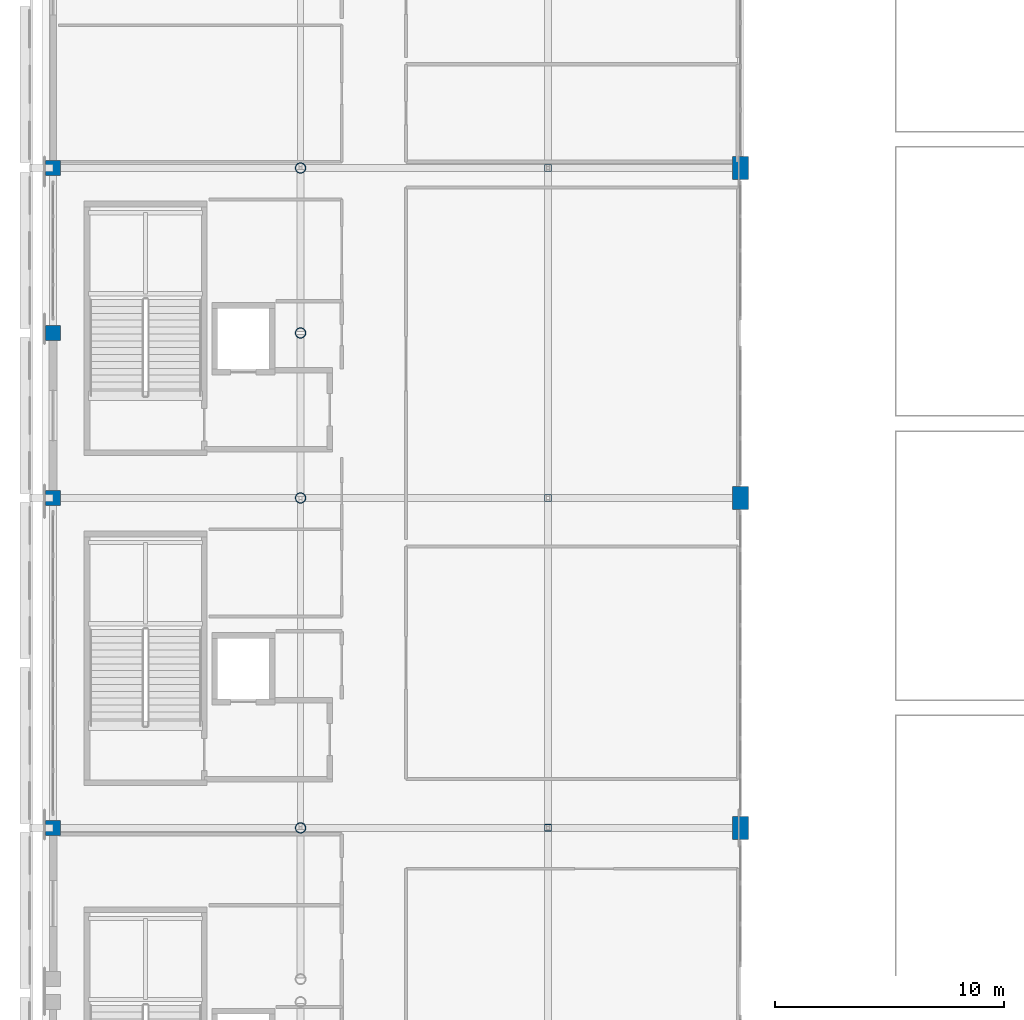
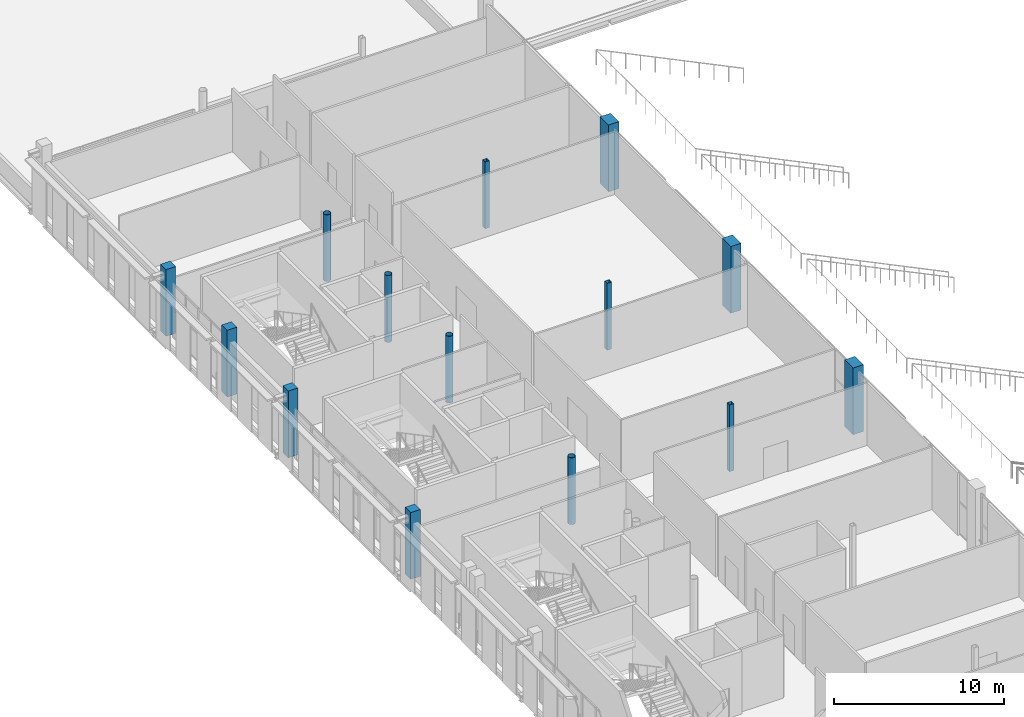
# One storey, part 4 of 104: 14 columns.
"""IFC4 building model written with IfcOpenShell, lengths in metres."""

from ifc_helpers import new_model, si_unit, direction, frame, origin, origin_2d, place, context, subcontext, project, spatial, rectangle, hollow_rectangle, hollow_circle, extrude, material, material_profile, profile_set, type_object, element, save


model = new_model("IFC4")

# Units and contexts
model_context = context("Model", 3, precision=1e-05, world=origin(), true_north=direction((0.0, 1.0)))
body_context = subcontext(model_context, "Body", "Model", "MODEL_VIEW")
ifc_project = project(units=[si_unit("LENGTHUNIT", "METRE"), si_unit("AREAUNIT", "SQUARE_METRE"), si_unit("VOLUMEUNIT", "CUBIC_METRE"), si_unit("PLANEANGLEUNIT", "RADIAN"), si_unit("MASSUNIT", "GRAM", prefix="KILO")], contexts=[model_context])

# Site, building, storey
site_placement = place(None, origin())
site = spatial("IfcSite", under=ifc_project, at=site_placement, CompositionType="ELEMENT")
building_placement = place(site_placement, origin())
building = spatial("IfcBuilding", under=site, at=building_placement, Name="Koshinbarg Plaza Stadium", CompositionType="ELEMENT")
storey_placement = place(building_placement, frame((0.0, 0.0, 19.800048828125)))
storey = spatial("IfcBuildingStorey", under=building, at=storey_placement, Name="L04", CompositionType="ELEMENT", Elevation=19.800048828125)

# Columns
ifc_material_1 = material(Name="Concrete C40/50", Category="concrete")
ifc_material_profile_1 = material_profile(ifc_material_1, rectangle(XDim=0.64990234375, YDim=0.64990234375, at=origin_2d()), Name="RC 650x650")
ifc_profile_set_1 = profile_set([ifc_material_profile_1], Name="Concrete C40/50")
column_type_1 = type_object("IfcColumnType", Name="COL-RC-05", PredefinedType="COLUMN", material=ifc_profile_set_1)
for number, where, z_axis, x_axis, name in (
    (1, (24.60009765625, 83.10009765625, 0.0), (0.0, 0.0, 1.0), (1.0, 0.0, 0.0), "L04 column 5/M"),
    (2, (24.60009765625, 97.5, 0.0), (0.0, 0.0, 1.0), (1.0, 0.0, 0.0), "L04 column 5/N"),
    (3, (24.60009765625, 104.699951171875, 0.0), (0.0, 0.0, 1.0), (1.0, 0.0, 0.0), "L04 column 5/P"),
    (4, (24.60009765625, 111.89990234375, 0.0), (0.0, 0.0, 1.0), (1.0, 0.0, 0.0), "L04 column 5/Q"),
):
    element("IfcColumn", number, at=place(storey_placement, frame(where, z_axis=z_axis, x_axis=x_axis)), inside=storey, type_object=column_type_1, Name=name, PredefinedType="COLUMN", context=body_context, shape_type="SweptSolid", body=[
        extrude(rectangle(XDim=0.64990234375, YDim=0.64990234375, at=origin_2d()), origin(), (0.0, 0.0, 1.0), 4.800048828125),
    ])
ifc_material_profile_2 = material_profile(ifc_material_1, rectangle(XDim=0.699951171875, YDim=1.0, at=origin_2d()), Name="RC 700x1000")
ifc_profile_set_2 = profile_set([ifc_material_profile_2], Name="Concrete C40/50")
column_type_2 = type_object("IfcColumnType", Name="COL-RC-13", PredefinedType="COLUMN", material=ifc_profile_set_2)
for number, where, z_axis, x_axis, name in (
    (5, (54.60009765625, 83.10009765625, 0.0), (0.0, 0.0, 1.0), (1.0, 0.0, 0.0), "L04 column 8/M"),
    (6, (54.60009765625, 97.5, 0.0), (0.0, 0.0, 1.0), (1.0, 0.0, 0.0), "L04 column 8/N"),
    (7, (54.60009765625, 111.89990234375, 0.0), (0.0, 0.0, 1.0), (1.0, 0.0, 0.0), "L04 column 8/Q"),
):
    element("IfcColumn", number, at=place(storey_placement, frame(where, z_axis=z_axis, x_axis=x_axis)), inside=storey, type_object=column_type_2, Name=name, PredefinedType="COLUMN", context=body_context, shape_type="SweptSolid", body=[
        extrude(rectangle(XDim=0.699951171875, YDim=1.0, at=origin_2d()), origin(), (0.0, 0.0, 1.0), 4.800048828125),
    ])
ifc_material_2 = material(Name="Steel S355", Category="steel")
ifc_material_profile_3 = material_profile(ifc_material_2, hollow_circle(Radius=0.228515625, WallThickness=0.02001953125, at=origin_2d()), Name="CHS 457x20")
ifc_profile_set_3 = profile_set([ifc_material_profile_3], Name="Steel S355")
column_type_3 = type_object("IfcColumnType", Name="COL-STL-05", PredefinedType="COLUMN", material=ifc_profile_set_3)
for number, where, z_axis, x_axis, name in (
    (8, (35.39990234375, 83.10009765625, 0.0), (0.0, 0.0, 1.0), (1.0, 0.0, 0.0), "L04 column 6/M"),
    (9, (35.39990234375, 97.5, 0.0), (0.0, 0.0, 1.0), (1.0, 0.0, 0.0), "L04 column 6/N"),
    (10, (35.39990234375, 104.699951171875, 0.0), (0.0, 0.0, 1.0), (1.0, 0.0, 0.0), "L04 column 6/P"),
    (11, (35.39990234375, 111.89990234375, 0.0), (0.0, 0.0, 1.0), (1.0, 0.0, 0.0), "L04 column 6/Q"),
):
    element("IfcColumn", number, at=place(storey_placement, frame(where, z_axis=z_axis, x_axis=x_axis)), inside=storey, type_object=column_type_3, Name=name, PredefinedType="COLUMN", context=body_context, shape_type="SweptSolid", body=[
        extrude(hollow_circle(Radius=0.228515625, WallThickness=0.02001953125, at=origin_2d()), origin(), (0.0, 0.0, 1.0), 4.800048828125),
    ])
ifc_material_profile_4 = material_profile(ifc_material_2, hollow_rectangle(XDim=0.300048828125, YDim=0.300048828125, WallThickness=0.01611328125, at=origin_2d()), Name="SHS 300x300x16")
ifc_profile_set_4 = profile_set([ifc_material_profile_4], Name="Steel S355")
column_type_4 = type_object("IfcColumnType", Name="COL-STL-06", PredefinedType="COLUMN", material=ifc_profile_set_4)
for number, where, z_axis, x_axis, name in (
    (12, (46.199951171875, 83.10009765625, 0.0), (0.0, 0.0, 1.0), (1.0, 0.0, 0.0), "L04 column 7/M"),
    (13, (46.199951171875, 97.5, 0.0), (0.0, 0.0, 1.0), (1.0, 0.0, 0.0), "L04 column 7/N"),
    (14, (46.199951171875, 111.89990234375, 0.0), (0.0, 0.0, 1.0), (1.0, 0.0, 0.0), "L04 column 7/Q"),
):
    element("IfcColumn", number, at=place(storey_placement, frame(where, z_axis=z_axis, x_axis=x_axis)), inside=storey, type_object=column_type_4, Name=name, PredefinedType="COLUMN", context=body_context, shape_type="SweptSolid", body=[
        extrude(hollow_rectangle(XDim=0.300048828125, YDim=0.300048828125, WallThickness=0.01611328125, at=origin_2d()), origin(), (0.0, 0.0, 1.0), 4.800048828125),
    ])

save(model, "model.ifc")
